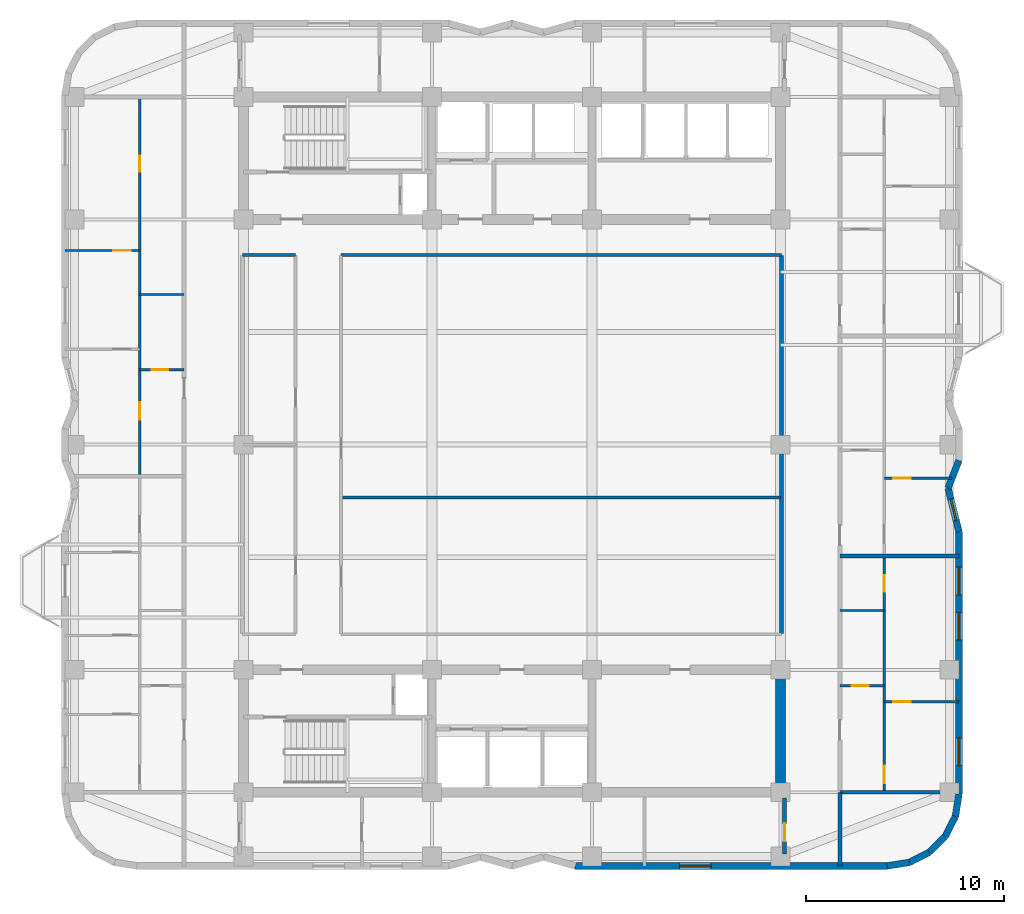
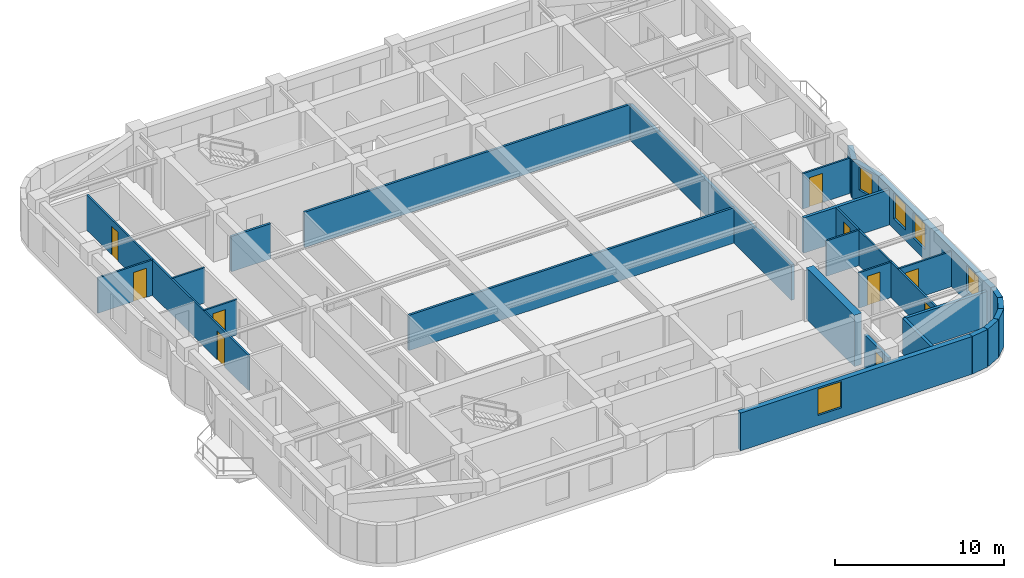
# One storey, part 4 of 8: 27 walls, 10 doors, 5 windows, 15 openings.
"""IFC4 building model written with IfcOpenShell, lengths in metres."""

from ifc_helpers import new_model, si_unit, direction, frame, frame_2d, origin, place, context, subcontext, project, spatial, rectangle, extrude, material, layer, layer_set, type_object, element, fill, save


model = new_model("IFC4")

# Units and contexts
model_context = context("Model", 3, precision=1e-05, world=origin(), true_north=direction((0.0, 1.0)))
body_context = subcontext(model_context, "Body", "Model", "MODEL_VIEW")
ifc_project = project(units=[si_unit("LENGTHUNIT", "METRE"), si_unit("AREAUNIT", "SQUARE_METRE"), si_unit("VOLUMEUNIT", "CUBIC_METRE"), si_unit("PLANEANGLEUNIT", "RADIAN"), si_unit("MASSUNIT", "GRAM", prefix="KILO")], contexts=[model_context])

# Site, building, storey
site_placement = place(None, origin())
site = spatial("IfcSite", under=ifc_project, at=site_placement, CompositionType="ELEMENT")
building_placement = place(site_placement, origin())
building = spatial("IfcBuilding", under=site, at=building_placement, Name="Svetorya Sky Lyceum", CompositionType="ELEMENT")
storey_placement = place(building_placement, frame((0.0, 0.0, 147.800048828125)))
storey = spatial("IfcBuildingStorey", under=building, at=storey_placement, Name="L36", CompositionType="ELEMENT", Elevation=147.800048828125)

# Wall
ifc_material_1 = material(Name="Concrete C50/60", Category="concrete")
ifc_layer_1 = layer(ifc_material_1, 0.5)
ifc_layer_set_1 = layer_set([ifc_layer_1], Name="Concrete C50/60")
wall_type_1 = type_object("IfcWallType", Name="WL-CORE-500", PredefinedType="SHEAR", material=ifc_layer_set_1)
wall_1_placement = place(storey_placement, frame((52.800048828125, 10.85009765625, 0.0), z_axis=(0.0, 0.0, 1.0), x_axis=(0.0, 1.0, 0.0)))
element("IfcWall", 1, at=wall_1_placement, inside=storey, type_object=wall_type_1, Name="L36 SC East Core Shear Wall", PredefinedType="SHEAR", context=body_context, shape_type="SweptSolid", body=[
    extrude(rectangle(XDim=5.699951171875, YDim=0.5, at=frame_2d((2.85009765625, 0.0))), origin(), (0.0, 0.0, 1.0), 3.699951171875),
])

# Wall, opening, window
ifc_material_2 = material(Name="Putilovo limestone rainscreen on autoclaved cellular masonry", Category="masonry")
ifc_layer_2 = layer(ifc_material_2, 0.340087890625)
ifc_layer_set_2 = layer_set([ifc_layer_2], Name="Putilovo limestone rainscreen on autoclaved cellular masonry")
wall_type_2 = type_object("IfcWallType", Name="WL-EXT-340", PredefinedType="SOLIDWALL", material=ifc_layer_set_2)
wall_2_placement = place(storey_placement, frame((42.39990234375, 6.8701171875, 0.0), z_axis=(0.0, 0.0, 1.0), x_axis=(1.0, 0.0, 0.0)))
wall_2 = element("IfcWall", 2, at=wall_2_placement, inside=storey, type_object=wall_type_2, Name="L36 Limestone Exterior Wall 11M", PredefinedType="SOLIDWALL", context=body_context, shape_type="SweptSolid", body=[
    extrude(rectangle(XDim=15.800048828125, YDim=0.340087890625, at=frame_2d((7.89990234375, 0.0))), origin(), (0.0, 0.0, 1.0), 2.719970703125),
])
opening_1_placement = place(wall_2_placement, frame((5.28759765625, 0.0, 0.699951171875)))
opening_1 = element("IfcOpeningElement", 3, at=opening_1_placement, cuts=wall_2, Name="Opening W-R4", PredefinedType="OPENING", context=body_context, shape_type="SweptSolid", body=[
    extrude(rectangle(XDim=1.60009765625, YDim=1.89990234375, at=frame_2d((0.800048828125, 0.949951171875))), frame((0.0, 0.179931640625, 0.0), z_axis=(0.0, -1.0, 0.0), x_axis=(1.0, 0.0, 0.0)), (0.0, 0.0, 1.0), 0.360107421875),
])
ifc_material_3 = material(Name="Thermally broken aluminium frame with triple low-E glazing", Category="aluminium")
window_type_1 = type_object("IfcWindowType", Name="WN-RES-160", PartitioningType="DOUBLE_PANEL_VERTICAL", PredefinedType="WINDOW", material=ifc_material_3)
window_1_placement = place(opening_1_placement, origin())
window_1 = element("IfcWindow", 4, at=window_1_placement, inside=storey, type_object=window_type_1, Name="L36 Facade Window W-R4.11M.1", OverallHeight=1.89990234375, OverallWidth=1.60009765625, PartitioningType="SINGLE_PANEL", PredefinedType="WINDOW", context=body_context, shape_type="SweptSolid", body=[
    extrude(rectangle(XDim=1.60009765625, YDim=1.89990234375, at=frame_2d((0.800048828125, 0.949951171875))), frame((0.0, 0.030029296875, 0.0), z_axis=(0.0, -1.0, 0.0), x_axis=(1.0, 0.0, 0.0)), (0.0, 0.0, 1.0), 0.06005859375),
])
fill(opening_1, window_1)

# Walls
for number, where, z_axis, x_axis, name in (
    (5, (58.199951171875, 6.8701171875, 0.0), (0.0, 0.0, 1.0), (0.987714116584, 0.156271634985, 0.0), "L36 Limestone Exterior Wall 12M"),
    (6, (59.32177734375, 7.047607421875, 0.0), (0.0, 0.0, 1.0), (0.891005044957, 0.453993402883, 0.0), "L36 Limestone Exterior Wall 13M"),
):
    element("IfcWall", number, at=place(storey_placement, frame(where, z_axis=z_axis, x_axis=x_axis)), inside=storey, type_object=wall_type_2, Name=name, PredefinedType="SOLIDWALL", context=body_context, shape_type="SweptSolid", body=[
        extrude(rectangle(XDim=1.1357421875, YDim=0.340087890625, at=frame_2d((0.56787109375, 0.0))), origin(), (0.0, 0.0, 1.0), 2.719970703125),
    ])
wall_3_placement = place(storey_placement, frame((60.333740234375, 7.563232421875, 0.0), z_axis=(0.0, 0.0, 1.0), x_axis=(0.707106781187, 0.707106781187, 0.0)))
element("IfcWall", 7, at=wall_3_placement, inside=storey, type_object=wall_type_2, Name="L36 Limestone Exterior Wall 14M", PredefinedType="SOLIDWALL", context=body_context, shape_type="SweptSolid", body=[
    extrude(rectangle(XDim=1.135498046875, YDim=0.340087890625, at=frame_2d((0.56787109375, 0.0))), origin(), (0.0, 0.0, 1.0), 2.719970703125),
])
wall_4_placement = place(storey_placement, frame((61.13671875, 8.3662109375, 0.0), z_axis=(0.0, 0.0, 1.0), x_axis=(0.45390646422, 0.891049337433, 0.0)))
element("IfcWall", 8, at=wall_4_placement, inside=storey, type_object=wall_type_2, Name="L36 Limestone Exterior Wall 15M", PredefinedType="SOLIDWALL", context=body_context, shape_type="SweptSolid", body=[
    extrude(rectangle(XDim=1.135986328125, YDim=0.340087890625, at=frame_2d((0.56787109375, 0.0))), origin(), (0.0, 0.0, 1.0), 2.719970703125),
])
wall_5_placement = place(storey_placement, frame((61.65234375, 9.37841796875, 0.0), z_axis=(0.0, 0.0, 1.0), x_axis=(0.156514556949, 0.987675651954, 0.0)))
element("IfcWall", 9, at=wall_5_placement, inside=storey, type_object=wall_type_2, Name="L36 Limestone Exterior Wall 16M", PredefinedType="SOLIDWALL", context=body_context, shape_type="SweptSolid", body=[
    extrude(rectangle(XDim=1.135498046875, YDim=0.340087890625, at=frame_2d((0.56787109375, 0.0))), origin(), (0.0, 0.0, 1.0), 2.719970703125),
])

# Wall, openings, windows
wall_6_placement = place(storey_placement, frame((61.830078125, 10.5, 0.0), z_axis=(0.0, 0.0, 1.0), x_axis=(0.0, 1.0, 0.0)))
wall_6 = element("IfcWall", 10, at=wall_6_placement, inside=storey, type_object=wall_type_2, Name="L36 Limestone Exterior Wall 17M", PredefinedType="SOLIDWALL", context=body_context, shape_type="SweptSolid", body=[
    extrude(rectangle(XDim=13.300048828125, YDim=0.340087890625, at=frame_2d((6.64990234375, 0.0))), origin(), (0.0, 0.0, 1.0), 2.719970703125),
])
opening_2_placement = place(wall_6_placement, frame((1.449951171875, 0.0, 0.75)))
opening_2 = element("IfcOpeningElement", 11, at=opening_2_placement, cuts=wall_6, Name="Opening W-R2", PredefinedType="OPENING", context=body_context, shape_type="SweptSolid", body=[
    extrude(rectangle(XDim=1.39990234375, YDim=1.85009765625, at=frame_2d((0.699951171875, 0.925048828125))), frame((0.0, 0.179931640625, 0.0), z_axis=(0.0, -1.0, 0.0), x_axis=(1.0, 0.0, 0.0)), (0.0, 0.0, 1.0), 0.360107421875),
])
opening_3_placement = place(wall_6_placement, frame((7.800048828125, 0.0, 0.75)))
opening_3 = element("IfcOpeningElement", 12, at=opening_3_placement, cuts=wall_6, Name="Opening W-R2", PredefinedType="OPENING", context=body_context, shape_type="SweptSolid", body=[
    extrude(rectangle(XDim=1.39990234375, YDim=1.85009765625, at=frame_2d((0.699951171875, 0.925048828125))), frame((0.0, 0.179931640625, 0.0), z_axis=(0.0, -1.0, 0.0), x_axis=(1.0, 0.0, 0.0)), (0.0, 0.0, 1.0), 0.360107421875),
])
opening_4_placement = place(wall_6_placement, frame((10.10009765625, 0.0, 0.75)))
opening_4 = element("IfcOpeningElement", 13, at=opening_4_placement, cuts=wall_6, Name="Opening W-R2", PredefinedType="OPENING", context=body_context, shape_type="SweptSolid", body=[
    extrude(rectangle(XDim=1.39990234375, YDim=1.85009765625, at=frame_2d((0.699951171875, 0.925048828125))), frame((0.0, 0.179931640625, 0.0), z_axis=(0.0, -1.0, 0.0), x_axis=(1.0, 0.0, 0.0)), (0.0, 0.0, 1.0), 0.360107421875),
])
window_type_2 = type_object("IfcWindowType", Name="WN-RES-140", PartitioningType="SINGLE_PANEL", PredefinedType="WINDOW", material=ifc_material_3)
window_2_placement = place(opening_2_placement, origin())
window_2 = element("IfcWindow", 14, at=window_2_placement, inside=storey, type_object=window_type_2, Name="L36 Facade Window W-R2.17M.1", OverallHeight=1.85009765625, OverallWidth=1.39990234375, PartitioningType="SINGLE_PANEL", PredefinedType="WINDOW", context=body_context, shape_type="SweptSolid", body=[
    extrude(rectangle(XDim=1.39990234375, YDim=1.85009765625, at=frame_2d((0.699951171875, 0.925048828125))), frame((0.0, 0.030029296875, 0.0), z_axis=(0.0, -1.0, 0.0), x_axis=(1.0, 0.0, 0.0)), (0.0, 0.0, 1.0), 0.06005859375),
])
fill(opening_2, window_2)
window_3_placement = place(opening_3_placement, origin())
window_3 = element("IfcWindow", 15, at=window_3_placement, inside=storey, type_object=window_type_2, Name="L36 Facade Window W-R2.17M.2", OverallHeight=1.85009765625, OverallWidth=1.39990234375, PartitioningType="SINGLE_PANEL", PredefinedType="WINDOW", context=body_context, shape_type="SweptSolid", body=[
    extrude(rectangle(XDim=1.39990234375, YDim=1.85009765625, at=frame_2d((0.699951171875, 0.925048828125))), frame((0.0, 0.030029296875, 0.0), z_axis=(0.0, -1.0, 0.0), x_axis=(1.0, 0.0, 0.0)), (0.0, 0.0, 1.0), 0.06005859375),
])
fill(opening_3, window_3)
window_4_placement = place(opening_4_placement, origin())
window_4 = element("IfcWindow", 16, at=window_4_placement, inside=storey, type_object=window_type_2, Name="L36 Facade Window W-R2.17M.3", OverallHeight=1.85009765625, OverallWidth=1.39990234375, PartitioningType="SINGLE_PANEL", PredefinedType="WINDOW", context=body_context, shape_type="SweptSolid", body=[
    extrude(rectangle(XDim=1.39990234375, YDim=1.85009765625, at=frame_2d((0.699951171875, 0.925048828125))), frame((0.0, 0.030029296875, 0.0), z_axis=(0.0, -1.0, 0.0), x_axis=(1.0, 0.0, 0.0)), (0.0, 0.0, 1.0), 0.06005859375),
])
fill(opening_4, window_4)

# Wall, opening, window
wall_7_placement = place(storey_placement, frame((61.830078125, 23.800048828125, 0.0), z_axis=(0.0, 0.0, 1.0), x_axis=(-0.242560957029, 0.970136166796, 0.0)))
wall_7 = element("IfcWall", 17, at=wall_7_placement, inside=storey, type_object=wall_type_2, Name="L36 Limestone Exterior Wall 18M", PredefinedType="SOLIDWALL", context=body_context, shape_type="SweptSolid", body=[
    extrude(rectangle(XDim=2.267578125, YDim=0.340087890625, at=frame_2d((1.1337890625, 0.0))), origin(), (0.0, 0.0, 1.0), 2.719970703125),
])
opening_5_placement = place(wall_7_placement, frame((0.583984375, 0.0, 0.909912109375)))
opening_5 = element("IfcOpeningElement", 18, at=opening_5_placement, cuts=wall_7, Name="Opening W-R3", PredefinedType="OPENING", context=body_context, shape_type="SweptSolid", body=[
    extrude(rectangle(XDim=1.10009765625, YDim=1.64990234375, at=frame_2d((0.550048828125, 0.824951171875))), frame((0.0, 0.179931640625, 0.0), z_axis=(0.0, -1.0, 0.0), x_axis=(1.0, 0.0, 0.0)), (0.0, 0.0, 1.0), 0.360107421875),
])
window_type_3 = type_object("IfcWindowType", Name="WN-RES-110", PartitioningType="SINGLE_PANEL", PredefinedType="WINDOW", material=ifc_material_3)
window_5_placement = place(opening_5_placement, origin())
window_5 = element("IfcWindow", 19, at=window_5_placement, inside=storey, type_object=window_type_3, Name="L36 Facade Window W-R3.18M.1", OverallHeight=1.64990234375, OverallWidth=1.10009765625, PartitioningType="SINGLE_PANEL", PredefinedType="WINDOW", context=body_context, shape_type="SweptSolid", body=[
    extrude(rectangle(XDim=1.10009765625, YDim=1.64990234375, at=frame_2d((0.550048828125, 0.824951171875))), frame((0.0, 0.030029296875, 0.0), z_axis=(0.0, -1.0, 0.0), x_axis=(1.0, 0.0, 0.0)), (0.0, 0.0, 1.0), 0.06005859375),
])
fill(opening_5, window_5)

# Wall
wall_8_placement = place(storey_placement, frame((61.280029296875, 26.0, 0.0), z_axis=(0.0, 0.0, 1.0), x_axis=(0.365702591843, 0.930731762818, 0.0)))
element("IfcWall", 20, at=wall_8_placement, inside=storey, type_object=wall_type_2, Name="L36 Limestone Exterior Wall 19M", PredefinedType="SOLIDWALL", context=body_context, shape_type="SweptSolid", body=[
    extrude(rectangle(XDim=1.504150390625, YDim=0.340087890625, at=frame_2d((0.751953125, 0.0))), origin(), (0.0, 0.0, 1.0), 2.719970703125),
])

# Wall, opening, door
ifc_material_4 = material(Name="Twin-stud galvanized framing with double fireboard", Category="gypsum")
ifc_layer_3 = layer(ifc_material_4, 0.1201171875)
ifc_layer_set_3 = layer_set([ifc_layer_3], Name="Twin-stud galvanized framing with double fireboard")
wall_type_3 = type_object("IfcWallType", Name="WL-PART-120", PredefinedType="PARTITIONING", material=ifc_layer_set_3)
wall_9_placement = place(storey_placement, frame((20.35009765625, 32.0, 0.0), z_axis=(0.0, 0.0, 1.0), x_axis=(1.0, 0.0, 0.0)))
wall_9 = element("IfcWall", 21, at=wall_9_placement, inside=storey, type_object=wall_type_3, Name="L36 Interior Partition W2-WH1", PredefinedType="PARTITIONING", context=body_context, shape_type="SweptSolid", body=[
    extrude(rectangle(XDim=2.25, YDim=0.1201171875, at=frame_2d((1.125, 0.0))), origin(), (0.0, 0.0, 1.0), 2.550048828125),
])
opening_6_placement = place(wall_9_placement, frame((0.60009765625, 0.0, 0.0)))
opening_6 = element("IfcOpeningElement", 22, at=opening_6_placement, cuts=wall_9, Name="Opening D-BT1", PredefinedType="OPENING", context=body_context, shape_type="SweptSolid", body=[
    extrude(rectangle(XDim=0.85009765625, YDim=2.10009765625, at=frame_2d((0.425048828125, 1.050048828125))), frame((0.0, 0.070068359375, 0.0), z_axis=(0.0, -1.0, 0.0), x_axis=(1.0, 0.0, 0.0)), (0.0, 0.0, 1.0), 0.14013671875),
])
ifc_material_5 = material(Name="Moisture-resistant laminate bathroom door")
door_type_1 = type_object("IfcDoorType", Name="DR-WET-850", OperationType="SINGLE_SWING_LEFT", PredefinedType="DOOR", material=ifc_material_5)
door_1_placement = place(opening_6_placement, origin())
door_1 = element("IfcDoor", 23, at=door_1_placement, inside=storey, type_object=door_type_1, Name="Apartment W2 Bathroom Door", OperationType="SINGLE_SWING_RIGHT", OverallHeight=2.10009765625, OverallWidth=0.85009765625, PredefinedType="DOOR", context=body_context, shape_type="SweptSolid", body=[
    extrude(rectangle(XDim=0.85009765625, YDim=2.10009765625, at=frame_2d((0.425048828125, 1.050048828125))), frame((0.0, 0.02490234375, 0.0), z_axis=(0.0, -1.0, 0.0), x_axis=(1.0, 0.0, 0.0)), (0.0, 0.0, 1.0), 0.050048828125),
])
fill(opening_6, door_1)

# Wall
wall_10_placement = place(storey_placement, frame((20.35009765625, 35.800048828125, 0.0), z_axis=(0.0, 0.0, 1.0), x_axis=(1.0, 0.0, 0.0)))
element("IfcWall", 24, at=wall_10_placement, inside=storey, type_object=wall_type_3, Name="L36 Interior Partition W2-WH2", PredefinedType="PARTITIONING", context=body_context, shape_type="SweptSolid", body=[
    extrude(rectangle(XDim=2.25, YDim=0.1201171875, at=frame_2d((1.125, 0.0))), origin(), (0.0, 0.0, 1.0), 2.550048828125),
])

# Wall, opening, door
wall_11_placement = place(storey_placement, frame((16.570068359375, 38.030029296875, 0.0), z_axis=(0.0, 0.0, 1.0), x_axis=(1.0, 0.0, 0.0)))
wall_11 = element("IfcWall", 25, at=wall_11_placement, inside=storey, type_object=wall_type_3, Name="L36 Interior Partition W2-WL2", PredefinedType="PARTITIONING", context=body_context, shape_type="SweptSolid", body=[
    extrude(rectangle(XDim=3.780029296875, YDim=0.1201171875, at=frame_2d((1.89013671875, 0.0))), origin(), (0.0, 0.0, 1.0), 2.550048828125),
])
opening_7_placement = place(wall_11_placement, frame((2.429931640625, 0.0, 0.0)))
opening_7 = element("IfcOpeningElement", 26, at=opening_7_placement, cuts=wall_11, Name="Opening D-RM1", PredefinedType="OPENING", context=body_context, shape_type="SweptSolid", body=[
    extrude(rectangle(XDim=0.89990234375, YDim=2.10009765625, at=frame_2d((0.449951171875, 1.050048828125))), frame((0.0, 0.070068359375, 0.0), z_axis=(0.0, -1.0, 0.0), x_axis=(1.0, 0.0, 0.0)), (0.0, 0.0, 1.0), 0.14013671875),
])
ifc_material_6 = material(Name="Lacquered birch veneer internal door")
door_type_2 = type_object("IfcDoorType", Name="DR-INT-900", OperationType="SINGLE_SWING_LEFT", PredefinedType="DOOR", material=ifc_material_6)
door_2_placement = place(opening_7_placement, origin())
door_2 = element("IfcDoor", 27, at=door_2_placement, inside=storey, type_object=door_type_2, Name="Apartment W2 Bedroom 2 Door", OperationType="SINGLE_SWING_LEFT", OverallHeight=2.10009765625, OverallWidth=0.89990234375, PredefinedType="DOOR", context=body_context, shape_type="SweptSolid", body=[
    extrude(rectangle(XDim=0.89990234375, YDim=2.10009765625, at=frame_2d((0.449951171875, 1.050048828125))), frame((0.0, 0.02490234375, 0.0), z_axis=(0.0, -1.0, 0.0), x_axis=(1.0, 0.0, 0.0)), (0.0, 0.0, 1.0), 0.050048828125),
])
fill(opening_7, door_2)

# Wall, openings, doors
wall_12_placement = place(storey_placement, frame((20.35009765625, 26.639892578125, 0.0), z_axis=(0.0, 0.0, 1.0), x_axis=(0.0, 1.0, 0.0)))
wall_12 = element("IfcWall", 28, at=wall_12_placement, inside=storey, type_object=wall_type_3, Name="L36 Interior Partition W2-WV", PredefinedType="PARTITIONING", context=body_context, shape_type="SweptSolid", body=[
    extrude(rectangle(XDim=19.1201171875, YDim=0.1201171875, at=frame_2d((9.56005859375, 0.0))), origin(), (0.0, 0.0, 1.0), 2.550048828125),
])
opening_8_placement = place(wall_12_placement, frame((2.81005859375, 0.0, 0.0)))
opening_8 = element("IfcOpeningElement", 29, at=opening_8_placement, cuts=wall_12, Name="Opening D-RM1", PredefinedType="OPENING", context=body_context, shape_type="SweptSolid", body=[
    extrude(rectangle(XDim=0.89990234375, YDim=2.10009765625, at=frame_2d((0.449951171875, 1.050048828125))), frame((0.0, 0.070068359375, 0.0), z_axis=(0.0, -1.0, 0.0), x_axis=(1.0, 0.0, 0.0)), (0.0, 0.0, 1.0), 0.14013671875),
])
opening_9_placement = place(wall_12_placement, frame((15.364990234375, 0.0, 0.0)))
opening_9 = element("IfcOpeningElement", 30, at=opening_9_placement, cuts=wall_12, Name="Opening D-BT2", PredefinedType="OPENING", context=body_context, shape_type="SweptSolid", body=[
    extrude(rectangle(XDim=0.820068359375, YDim=2.080078125, at=frame_2d((0.41015625, 1.0400390625))), frame((0.0, 0.070068359375, 0.0), z_axis=(0.0, -1.0, 0.0), x_axis=(1.0, 0.0, 0.0)), (0.0, 0.0, 1.0), 0.14013671875),
])
door_3_placement = place(opening_8_placement, origin())
door_3 = element("IfcDoor", 31, at=door_3_placement, inside=storey, type_object=door_type_2, Name="Apartment W2 Living Door", OperationType="SINGLE_SWING_LEFT", OverallHeight=2.10009765625, OverallWidth=0.89990234375, PredefinedType="DOOR", context=body_context, shape_type="SweptSolid", body=[
    extrude(rectangle(XDim=0.89990234375, YDim=2.10009765625, at=frame_2d((0.449951171875, 1.050048828125))), frame((0.0, 0.02490234375, 0.0), z_axis=(0.0, -1.0, 0.0), x_axis=(1.0, 0.0, 0.0)), (0.0, 0.0, 1.0), 0.050048828125),
])
fill(opening_8, door_3)
ifc_material_7 = material(Name="Compact moisture-resistant laminate closet door")
door_type_3 = type_object("IfcDoorType", Name="DR-WET-820", OperationType="SINGLE_SWING_LEFT", PredefinedType="DOOR", material=ifc_material_7)
door_4_placement = place(opening_9_placement, origin())
door_4 = element("IfcDoor", 32, at=door_4_placement, inside=storey, type_object=door_type_3, Name="Apartment W2 Study Door", OperationType="SINGLE_SWING_RIGHT", OverallHeight=2.080078125, OverallWidth=0.820068359375, PredefinedType="DOOR", context=body_context, shape_type="SweptSolid", body=[
    extrude(rectangle(XDim=0.820068359375, YDim=2.080078125, at=frame_2d((0.41015625, 1.0400390625))), frame((0.0, 0.02490234375, 0.0), z_axis=(0.0, -1.0, 0.0), x_axis=(1.0, 0.0, 0.0)), (0.0, 0.0, 1.0), 0.050048828125),
])
fill(opening_9, door_4)

# Wall, opening, door
wall_13_placement = place(storey_placement, frame((55.800048828125, 16.0, 0.0), z_axis=(0.0, 0.0, 1.0), x_axis=(1.0, 0.0, 0.0)))
wall_13 = element("IfcWall", 33, at=wall_13_placement, inside=storey, type_object=wall_type_3, Name="L36 Interior Partition E1-WH1", PredefinedType="PARTITIONING", context=body_context, shape_type="SweptSolid", body=[
    extrude(rectangle(XDim=2.25, YDim=0.1201171875, at=frame_2d((1.125, 0.0))), origin(), (0.0, 0.0, 1.0), 2.550048828125),
])
opening_10_placement = place(wall_13_placement, frame((0.60009765625, 0.0, 0.0)))
opening_10 = element("IfcOpeningElement", 34, at=opening_10_placement, cuts=wall_13, Name="Opening D-BT1", PredefinedType="OPENING", context=body_context, shape_type="SweptSolid", body=[
    extrude(rectangle(XDim=0.85009765625, YDim=2.10009765625, at=frame_2d((0.425048828125, 1.050048828125))), frame((0.0, 0.070068359375, 0.0), z_axis=(0.0, -1.0, 0.0), x_axis=(1.0, 0.0, 0.0)), (0.0, 0.0, 1.0), 0.14013671875),
])
door_5_placement = place(opening_10_placement, origin())
door_5 = element("IfcDoor", 35, at=door_5_placement, inside=storey, type_object=door_type_1, Name="Apartment E1 Bathroom Door", OperationType="SINGLE_SWING_RIGHT", OverallHeight=2.10009765625, OverallWidth=0.85009765625, PredefinedType="DOOR", context=body_context, shape_type="SweptSolid", body=[
    extrude(rectangle(XDim=0.85009765625, YDim=2.10009765625, at=frame_2d((0.425048828125, 1.050048828125))), frame((0.0, 0.02490234375, 0.0), z_axis=(0.0, -1.0, 0.0), x_axis=(1.0, 0.0, 0.0)), (0.0, 0.0, 1.0), 0.050048828125),
])
fill(opening_10, door_5)

# Wall
wall_14_placement = place(storey_placement, frame((55.800048828125, 19.800048828125, 0.0), z_axis=(0.0, 0.0, 1.0), x_axis=(1.0, 0.0, 0.0)))
element("IfcWall", 36, at=wall_14_placement, inside=storey, type_object=wall_type_3, Name="L36 Interior Partition E1-WH2", PredefinedType="PARTITIONING", context=body_context, shape_type="SweptSolid", body=[
    extrude(rectangle(XDim=2.25, YDim=0.1201171875, at=frame_2d((1.125, 0.0))), origin(), (0.0, 0.0, 1.0), 2.550048828125),
])

# Wall, opening, door
wall_15_placement = place(storey_placement, frame((58.050048828125, 15.179931640625, 0.0), z_axis=(0.0, 0.0, 1.0), x_axis=(1.0, 0.0, 0.0)))
wall_15 = element("IfcWall", 37, at=wall_15_placement, inside=storey, type_object=wall_type_3, Name="L36 Interior Partition E1-WL1", PredefinedType="PARTITIONING", context=body_context, shape_type="SweptSolid", body=[
    extrude(rectangle(XDim=3.780029296875, YDim=0.1201171875, at=frame_2d((1.89013671875, 0.0))), origin(), (0.0, 0.0, 1.0), 2.550048828125),
])
opening_11_placement = place(wall_15_placement, frame((0.449951171875, 0.0, 0.0)))
opening_11 = element("IfcOpeningElement", 38, at=opening_11_placement, cuts=wall_15, Name="Opening D-RM1", PredefinedType="OPENING", context=body_context, shape_type="SweptSolid", body=[
    extrude(rectangle(XDim=0.89990234375, YDim=2.10009765625, at=frame_2d((0.449951171875, 1.050048828125))), frame((0.0, 0.070068359375, 0.0), z_axis=(0.0, -1.0, 0.0), x_axis=(1.0, 0.0, 0.0)), (0.0, 0.0, 1.0), 0.14013671875),
])
door_6_placement = place(opening_11_placement, origin())
door_6 = element("IfcDoor", 39, at=door_6_placement, inside=storey, type_object=door_type_2, Name="Apartment E1 Bedroom 1 Door", OperationType="SINGLE_SWING_RIGHT", OverallHeight=2.10009765625, OverallWidth=0.89990234375, PredefinedType="DOOR", context=body_context, shape_type="SweptSolid", body=[
    extrude(rectangle(XDim=0.89990234375, YDim=2.10009765625, at=frame_2d((0.449951171875, 1.050048828125))), frame((0.0, 0.02490234375, 0.0), z_axis=(0.0, -1.0, 0.0), x_axis=(1.0, 0.0, 0.0)), (0.0, 0.0, 1.0), 0.050048828125),
])
fill(opening_11, door_6)

# Wall, openings, doors
wall_16_placement = place(storey_placement, frame((58.050048828125, 10.639892578125, 0.0), z_axis=(0.0, 0.0, 1.0), x_axis=(0.0, 1.0, 0.0)))
wall_16 = element("IfcWall", 40, at=wall_16_placement, inside=storey, type_object=wall_type_3, Name="L36 Interior Partition E1-WV", PredefinedType="PARTITIONING", context=body_context, shape_type="SweptSolid", body=[
    extrude(rectangle(XDim=11.88818359375, YDim=0.1201171875, at=frame_2d((5.944091796875, 0.0))), origin(), (0.0, 0.0, 1.0), 2.550048828125),
])
opening_12_placement = place(wall_16_placement, frame((0.409912109375, 0.0, 0.0)))
opening_12 = element("IfcOpeningElement", 41, at=opening_12_placement, cuts=wall_16, Name="Opening D-RM1", PredefinedType="OPENING", context=body_context, shape_type="SweptSolid", body=[
    extrude(rectangle(XDim=0.89990234375, YDim=2.10009765625, at=frame_2d((0.449951171875, 1.050048828125))), frame((0.0, 0.070068359375, 0.0), z_axis=(0.0, -1.0, 0.0), x_axis=(1.0, 0.0, 0.0)), (0.0, 0.0, 1.0), 0.14013671875),
])
opening_13_placement = place(wall_16_placement, frame((10.118896484375, 0.0, 0.0)))
opening_13 = element("IfcOpeningElement", 42, at=opening_13_placement, cuts=wall_16, Name="Opening D-BT2", PredefinedType="OPENING", context=body_context, shape_type="SweptSolid", body=[
    extrude(rectangle(XDim=0.820068359375, YDim=2.080078125, at=frame_2d((0.41015625, 1.0400390625))), frame((0.0, 0.070068359375, 0.0), z_axis=(0.0, -1.0, 0.0), x_axis=(1.0, 0.0, 0.0)), (0.0, 0.0, 1.0), 0.14013671875),
])
door_7_placement = place(opening_12_placement, origin())
door_7 = element("IfcDoor", 43, at=door_7_placement, inside=storey, type_object=door_type_2, Name="Apartment E1 Living Door", OperationType="SINGLE_SWING_LEFT", OverallHeight=2.10009765625, OverallWidth=0.89990234375, PredefinedType="DOOR", context=body_context, shape_type="SweptSolid", body=[
    extrude(rectangle(XDim=0.89990234375, YDim=2.10009765625, at=frame_2d((0.449951171875, 1.050048828125))), frame((0.0, 0.02490234375, 0.0), z_axis=(0.0, -1.0, 0.0), x_axis=(1.0, 0.0, 0.0)), (0.0, 0.0, 1.0), 0.050048828125),
])
fill(opening_12, door_7)
door_8_placement = place(opening_13_placement, origin())
door_8 = element("IfcDoor", 44, at=door_8_placement, inside=storey, type_object=door_type_3, Name="Apartment E1 Study Door", OperationType="SINGLE_SWING_RIGHT", OverallHeight=2.080078125, OverallWidth=0.820068359375, PredefinedType="DOOR", context=body_context, shape_type="SweptSolid", body=[
    extrude(rectangle(XDim=0.820068359375, YDim=2.080078125, at=frame_2d((0.41015625, 1.0400390625))), frame((0.0, 0.02490234375, 0.0), z_axis=(0.0, -1.0, 0.0), x_axis=(1.0, 0.0, 0.0)), (0.0, 0.0, 1.0), 0.050048828125),
])
fill(opening_13, door_8)

# Wall, opening, door
wall_17_placement = place(storey_placement, frame((58.050048828125, 26.508056640625, 0.0), z_axis=(0.0, 0.0, 1.0), x_axis=(1.0, 0.0, 0.0)))
wall_17 = element("IfcWall", 45, at=wall_17_placement, inside=storey, type_object=wall_type_3, Name="L36 Interior Partition E2-WL1", PredefinedType="PARTITIONING", context=body_context, shape_type="SweptSolid", body=[
    extrude(rectangle(XDim=3.429443359375, YDim=0.1201171875, at=frame_2d((1.71484375, 0.0))), origin(), (0.0, 0.0, 1.0), 2.550048828125),
])
opening_14_placement = place(wall_17_placement, frame((0.449951171875, 0.0, 0.0)))
opening_14 = element("IfcOpeningElement", 46, at=opening_14_placement, cuts=wall_17, Name="Opening D-RM1", PredefinedType="OPENING", context=body_context, shape_type="SweptSolid", body=[
    extrude(rectangle(XDim=0.89990234375, YDim=2.10009765625, at=frame_2d((0.449951171875, 1.050048828125))), frame((0.0, 0.070068359375, 0.0), z_axis=(0.0, -1.0, 0.0), x_axis=(1.0, 0.0, 0.0)), (0.0, 0.0, 1.0), 0.14013671875),
])
door_9_placement = place(opening_14_placement, origin())
door_9 = element("IfcDoor", 47, at=door_9_placement, inside=storey, type_object=door_type_2, Name="Apartment E2 Bedroom 1 Door", OperationType="SINGLE_SWING_LEFT", OverallHeight=2.10009765625, OverallWidth=0.89990234375, PredefinedType="DOOR", context=body_context, shape_type="SweptSolid", body=[
    extrude(rectangle(XDim=0.89990234375, YDim=2.10009765625, at=frame_2d((0.449951171875, 1.050048828125))), frame((0.0, 0.02490234375, 0.0), z_axis=(0.0, -1.0, 0.0), x_axis=(1.0, 0.0, 0.0)), (0.0, 0.0, 1.0), 0.050048828125),
])
fill(opening_14, door_9)

# Walls
ifc_material_8 = material(Name="Autoclaved cellular masonry blockwork with acoustic render", Category="masonry")
ifc_layer_4 = layer(ifc_material_8, 0.14990234375)
ifc_layer_set_4 = layer_set([ifc_layer_4], Name="Autoclaved cellular masonry blockwork with acoustic render")
wall_type_4 = type_object("IfcWallType", Name="WL-PART-150", PredefinedType="PARTITIONING", material=ifc_layer_set_4)
wall_18_placement = place(storey_placement, frame((25.550048828125, 37.800048828125, 0.0), z_axis=(0.0, 0.0, 1.0), x_axis=(1.0, 0.0, 0.0)))
element("IfcWall", 48, at=wall_18_placement, inside=storey, type_object=wall_type_4, Name="L36 Interior Partition OFF-CN-W", PredefinedType="PARTITIONING", context=body_context, shape_type="SweptSolid", body=[
    extrude(rectangle(XDim=2.699951171875, YDim=0.14990234375, at=frame_2d((1.35009765625, 0.0))), origin(), (0.0, 0.0, 1.0), 2.550048828125),
])
wall_19_placement = place(storey_placement, frame((30.550048828125, 37.800048828125, 0.0), z_axis=(0.0, 0.0, 1.0), x_axis=(1.0, 0.0, 0.0)))
element("IfcWall", 49, at=wall_19_placement, inside=storey, type_object=wall_type_4, Name="L36 Interior Partition OFF-CN-E", PredefinedType="PARTITIONING", context=body_context, shape_type="SweptSolid", body=[
    extrude(rectangle(XDim=22.300048828125, YDim=0.14990234375, at=frame_2d((11.14990234375, 0.0))), origin(), (0.0, 0.0, 1.0), 2.550048828125),
])
wall_20_placement = place(storey_placement, frame((30.580078125, 25.5205078125, 0.0), z_axis=(0.0, 0.0, 1.0), x_axis=(1.0, 0.0, 0.0)))
element("IfcWall", 50, at=wall_20_placement, inside=storey, type_object=wall_type_4, Name="L36 Interior Partition OFF-HE", PredefinedType="PARTITIONING", context=body_context, shape_type="SweptSolid", body=[
    extrude(rectangle(XDim=22.219970703125, YDim=0.14990234375, at=frame_2d((11.10986328125, 0.0))), origin(), (0.0, 0.0, 1.0), 2.550048828125),
])
ifc_material_9 = material(Name="Autoclaved cellular masonry blockwork with gypsum plaster", Category="masonry")
ifc_layer_5 = layer(ifc_material_9, 0.199951171875)
ifc_layer_set_5 = layer_set([ifc_layer_5], Name="Autoclaved cellular masonry blockwork with gypsum plaster")
wall_type_5 = type_object("IfcWallType", Name="WL-PART-200", PredefinedType="PARTITIONING", material=ifc_layer_set_5)
wall_21_placement = place(storey_placement, frame((52.85009765625, 18.6298828125, 0.0), z_axis=(0.0, 0.0, 1.0), x_axis=(0.0, 1.0, 0.0)))
element("IfcWall", 51, at=wall_21_placement, inside=storey, type_object=wall_type_5, Name="L36 Interior Partition E-CEN-SEP", PredefinedType="PARTITIONING", context=body_context, shape_type="SweptSolid", body=[
    extrude(rectangle(XDim=19.14013671875, YDim=0.199951171875, at=frame_2d((9.570068359375, 0.0))), origin(), (0.0, 0.0, 1.0), 2.550048828125),
])
wall_22_placement = place(storey_placement, frame((55.800048828125, 22.568115234375, 0.0), z_axis=(0.0, 0.0, 1.0), x_axis=(1.0, 0.0, 0.0)))
element("IfcWall", 52, at=wall_22_placement, inside=storey, type_object=wall_type_5, Name="L36 Interior Partition E-PARTY-1", PredefinedType="PARTITIONING", context=body_context, shape_type="SweptSolid", body=[
    extrude(rectangle(XDim=6.030029296875, YDim=0.199951171875, at=frame_2d((3.01513671875, 0.0))), origin(), (0.0, 0.0, 1.0), 2.550048828125),
])
wall_23_placement = place(storey_placement, frame((55.800048828125, 10.60009765625, 0.0), z_axis=(0.0, 0.0, 1.0), x_axis=(1.0, 0.0, 0.0)))
element("IfcWall", 53, at=wall_23_placement, inside=storey, type_object=wall_type_5, Name="L36 Interior Partition E-CAP-S", PredefinedType="PARTITIONING", context=body_context, shape_type="SweptSolid", body=[
    extrude(rectangle(XDim=5.60986328125, YDim=0.199951171875, at=frame_2d((2.804931640625, 0.0))), origin(), (0.0, 0.0, 1.0), 2.550048828125),
])
wall_24_placement = place(storey_placement, frame((55.800048828125, 6.8701171875, 0.0), z_axis=(0.0, 0.0, 1.0), x_axis=(0.0, 1.0, 0.0)))
element("IfcWall", 54, at=wall_24_placement, inside=storey, type_object=wall_type_5, Name="L36 Interior Partition EC-SE-END", PredefinedType="PARTITIONING", context=body_context, shape_type="SweptSolid", body=[
    extrude(rectangle(XDim=3.72998046875, YDim=0.199951171875, at=frame_2d((1.864990234375, 0.0))), origin(), (0.0, 0.0, 1.0), 2.550048828125),
])

# Wall, opening, door
wall_25_placement = place(storey_placement, frame((53.0, 7.469970703125, 0.0), z_axis=(0.0, 0.0, 1.0), x_axis=(0.0, 1.0, 0.0)))
wall_25 = element("IfcWall", 55, at=wall_25_placement, inside=storey, type_object=wall_type_5, Name="L36 Interior Partition S-EE", PredefinedType="PARTITIONING", context=body_context, shape_type="SweptSolid", body=[
    extrude(rectangle(XDim=2.830078125, YDim=0.199951171875, at=frame_2d((1.4150390625, 0.0))), origin(), (0.0, 0.0, 1.0), 2.550048828125),
])
opening_15_placement = place(wall_25_placement, frame((0.64990234375, 0.0, 0.0)))
opening_15 = element("IfcOpeningElement", 56, at=opening_15_placement, cuts=wall_25, Name="Opening D-RM1", PredefinedType="OPENING", context=body_context, shape_type="SweptSolid", body=[
    extrude(rectangle(XDim=0.89990234375, YDim=2.10009765625, at=frame_2d((0.449951171875, 1.050048828125))), frame((0.0, 0.10986328125, 0.0), z_axis=(0.0, -1.0, 0.0), x_axis=(1.0, 0.0, 0.0)), (0.0, 0.0, 1.0), 0.219970703125),
])
door_10_placement = place(opening_15_placement, origin())
door_10 = element("IfcDoor", 57, at=door_10_placement, inside=storey, type_object=door_type_2, Name="L36 South Focus Door", OperationType="SINGLE_SWING_RIGHT", OverallHeight=2.10009765625, OverallWidth=0.89990234375, PredefinedType="DOOR", context=body_context, shape_type="SweptSolid", body=[
    extrude(rectangle(XDim=0.89990234375, YDim=2.10009765625, at=frame_2d((0.449951171875, 1.050048828125))), frame((0.0, 0.02490234375, 0.0), z_axis=(0.0, -1.0, 0.0), x_axis=(1.0, 0.0, 0.0)), (0.0, 0.0, 1.0), 0.050048828125),
])
fill(opening_15, door_10)

save(model, "model.ifc")
